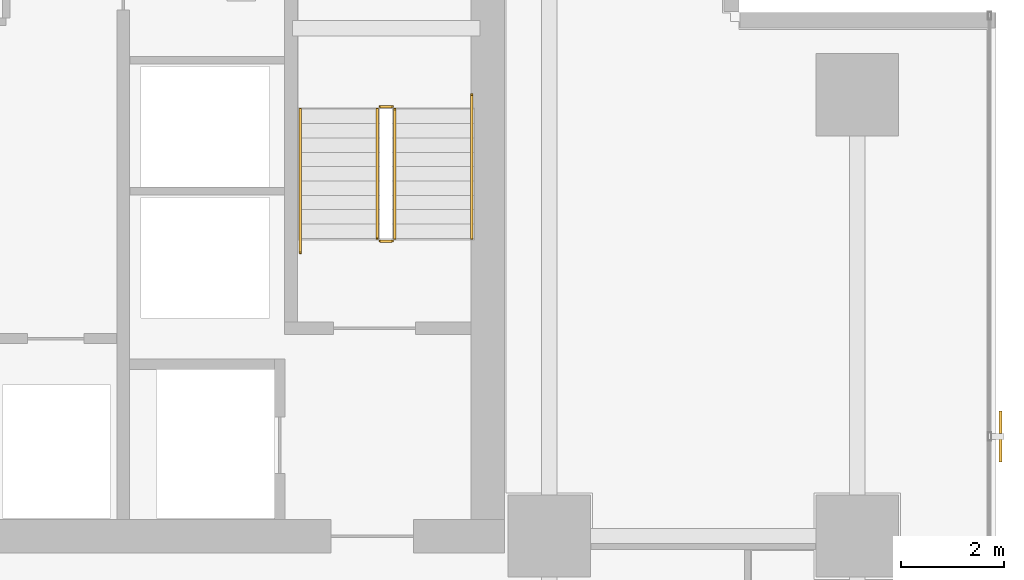
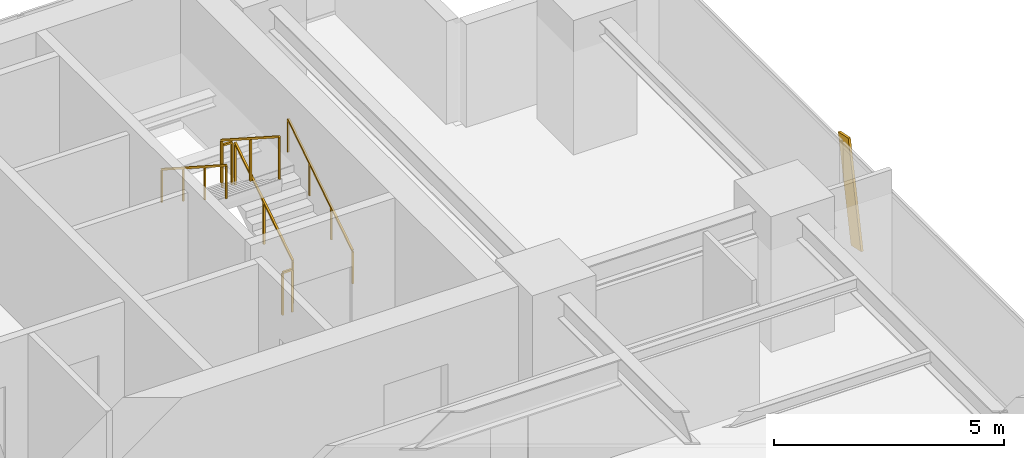
# One storey, part 36 of 37: 6 railings, 1 shading device.
"""IFC4 building model written with IfcOpenShell, lengths in metres."""

import ifcopenshell
import ifcopenshell.guid

model = None  # the IFC model being written
_history = None  # IfcOwnerHistory: only IFC2X3 demands one
_inside = {}  # id of a spatial element -> (the spatial element, [elements in it])
_under = {}  # id of a project, library or spatial element -> (it, [spatial elements below it])
_declared = {}  # id of a project -> (the project, [libraries it declares])
_typed = {}  # id of a type object -> (the type object, [elements of that type])
_made_of = {}  # id of a material, layer set ... -> (it, [elements and type objects made of it])


def new_model(schema):
    """Start an empty IFC model of exactly this schema.

    Asked for "IFC4X3", IfcOpenShell would pick the latest addendum, in which some entities
    have other attributes; the version numbers below select the first issue.
    IFC2X3 requires an IfcOwnerHistory on every rooted entity: one is made here for all.
    """
    global model, _history
    if schema == "IFC4X3":
        model = ifcopenshell.file(schema_version=(4, 3, 0, 0))
    else:
        model = ifcopenshell.file(schema=schema)
    _inside.clear()
    _under.clear()
    _declared.clear()
    _typed.clear()
    _made_of.clear()
    _history = None
    if model.schema == "IFC2X3":
        org = make("IfcOrganization", Name="unknown")
        user = make(
            "IfcPersonAndOrganization",
            ThePerson=make("IfcPerson", FamilyName="unknown"),
            TheOrganization=org,
        )
        app = make(
            "IfcApplication",
            ApplicationDeveloper=org,
            Version="unknown",
            ApplicationFullName="unknown",
            ApplicationIdentifier="unknown",
        )
        _history = make(
            "IfcOwnerHistory",
            OwningUser=user,
            OwningApplication=app,
            ChangeAction="ADDED",
            CreationDate=0,
        )
    return model


def make(cls, **values):
    """One entity of the class cls with the attributes given. An attribute that is None is left unset."""
    return model.create_entity(
        cls, **{name: value for name, value in values.items() if value is not None}
    )


def rooted(cls, **values):
    """An entity with a GlobalId (a new one), such as an element, a storey or a relation."""
    return make(cls, GlobalId=ifcopenshell.guid.new(), OwnerHistory=_history, **values)


def si_unit(unit_type, name, prefix=None):
    """IfcSIUnit, for example si_unit("LENGTHUNIT", "METRE", prefix="MILLI")."""
    return make("IfcSIUnit", UnitType=unit_type, Prefix=prefix, Name=name)


def assignment(units):
    """IfcUnitAssignment: the units of a project."""
    return None if units is None else make("IfcUnitAssignment", Units=units)


def point(xyz):
    """IfcCartesianPoint."""
    return None if xyz is None else make("IfcCartesianPoint", Coordinates=xyz)


def direction(xyz):
    """IfcDirection."""
    return None if xyz is None else make("IfcDirection", DirectionRatios=xyz)


def frame(location, z_axis=None, x_axis=None):
    """IfcAxis2Placement3D, a coordinate frame: its origin and axes. An axis left out is left unset."""
    return make(
        "IfcAxis2Placement3D",
        Location=point(location),
        Axis=direction(z_axis),
        RefDirection=direction(x_axis),
    )


def frame_2d(location, x_axis=None):
    """IfcAxis2Placement2D, a coordinate frame in the plane: its origin and x axis."""
    return make(
        "IfcAxis2Placement2D", Location=point(location), RefDirection=direction(x_axis)
    )


def origin():
    """The frame at (0, 0, 0) with its axes left unset."""
    return frame((0.0, 0.0, 0.0))


def origin_2d():
    """The frame at (0, 0) in the plane with its x axis left unset."""
    return frame_2d((0.0, 0.0))


def place(relative_to, where):
    """IfcLocalPlacement: puts the frame where relative to a parent placement (None: the world)."""
    return make(
        "IfcLocalPlacement", PlacementRelTo=relative_to, RelativePlacement=where
    )


def context(
    kind, dimensions, precision=None, world=None, true_north=None, identifier=None
):
    """IfcGeometricRepresentationContext, for example the 3D "Model" context."""
    return make(
        "IfcGeometricRepresentationContext",
        ContextIdentifier=identifier,
        ContextType=kind,
        CoordinateSpaceDimension=dimensions,
        Precision=precision,
        WorldCoordinateSystem=world,
        TrueNorth=true_north,
    )


def subcontext(parent, identifier, kind, view, scale=None):
    """IfcGeometricRepresentationSubContext, for example "Body" below "Model"."""
    return make(
        "IfcGeometricRepresentationSubContext",
        ContextIdentifier=identifier,
        ContextType=kind,
        ParentContext=parent,
        TargetScale=scale,
        TargetView=view,
    )


def project(units=None, contexts=None):
    """IfcProject with its units and contexts."""
    return rooted(
        "IfcProject",
        Name="project",
        RepresentationContexts=contexts,
        UnitsInContext=assignment(units),
    )


def spatial(cls, under=None, at=None, **own):
    """A site, building, storey or space (cls), placed at a placement, below another one or the project."""
    s = rooted(cls, ObjectPlacement=at, **own)
    if under is not None:
        _under.setdefault(under.id(), (under, []))[1].append(s)
    return s


def profile(cls, at=None, kind="AREA", **sizes):
    """A parametric profile (cls). Its sizes go by their IFC names, for example OverallWidth=200.0."""
    return make(cls, ProfileType=kind, Position=at, **sizes)


def rectangle(**sizes):
    """IfcRectangleProfileDef."""
    return profile("IfcRectangleProfileDef", **sizes)


def extrude(swept, where, along, depth):
    """IfcExtrudedAreaSolid: the profile swept, set in the frame where, extruded along a direction by depth."""
    return make(
        "IfcExtrudedAreaSolid",
        SweptArea=swept,
        Position=where,
        ExtrudedDirection=direction(along),
        Depth=depth,
    )


def shape(context_of_items, identifier, shape_type, items):
    """IfcShapeRepresentation: the items that make up one representation, for example the "Body"."""
    return make(
        "IfcShapeRepresentation",
        ContextOfItems=context_of_items,
        RepresentationIdentifier=identifier,
        RepresentationType=shape_type,
        Items=items,
    )


def source(mapping_origin, context_of_items, identifier, shape_type, items):
    """IfcRepresentationMap: a shape defined once, which mapped items show again and again."""
    return make(
        "IfcRepresentationMap",
        MappingOrigin=mapping_origin,
        MappedRepresentation=shape(context_of_items, identifier, shape_type, items),
    )


def transform(
    local_origin,
    x_axis=None,
    y_axis=None,
    z_axis=None,
    scale=None,
    scale2=None,
    scale3=None,
    uniform=True,
):
    """IfcCartesianTransformationOperator3D, or its non-uniform kind. x_axis, y_axis, z_axis: its Axis1, 2, 3."""
    if uniform:
        return make(
            "IfcCartesianTransformationOperator3D",
            Axis1=direction(x_axis),
            Axis2=direction(y_axis),
            LocalOrigin=point(local_origin),
            Scale=scale,
            Axis3=direction(z_axis),
        )
    return make(
        "IfcCartesianTransformationOperator3DnonUniform",
        Axis1=direction(x_axis),
        Axis2=direction(y_axis),
        LocalOrigin=point(local_origin),
        Scale=scale,
        Axis3=direction(z_axis),
        Scale2=scale2,
        Scale3=scale3,
    )


def mapped(mapping_source, mapping_target):
    """IfcMappedItem: shows the shape of a source again, moved by a transform."""
    return make(
        "IfcMappedItem", MappingSource=mapping_source, MappingTarget=mapping_target
    )


def material(Name=None, Category=None):
    """IfcMaterial."""
    return make("IfcMaterial", Name=Name, Category=Category)


def material_profile(
    of_material, cross_section, Name=None, Category=None, Priority=None
):
    """IfcMaterialProfile: a cross section and its material."""
    return make(
        "IfcMaterialProfile",
        Name=Name,
        Material=of_material,
        Profile=cross_section,
        Priority=Priority,
        Category=Category,
    )


def profile_set(profiles, Name=None, composite=None):
    """IfcMaterialProfileSet."""
    return make(
        "IfcMaterialProfileSet",
        Name=Name,
        MaterialProfiles=profiles,
        CompositeProfile=composite,
    )


def made_of(thing, what):
    """Note that an element or type object is made of a material, layer set ...; save() writes the relation."""
    if what is not None:
        _made_of.setdefault(what.id(), (what, []))[1].append(thing)
    return thing


def type_object(cls, material=None, **own):
    """A type object (cls), such as IfcWallType, which elements share."""
    return made_of(rooted(cls, **own), material)


def element(
    cls,
    number,
    at=None,
    inside=None,
    cuts=None,
    type_object=None,
    material=None,
    context=None,
    identifier="Body",
    shape_type=None,
    held_by="IfcProductDefinitionShape",
    body=None,
    shapes=None,
    **own,
):
    """One element of the class cls, such as IfcWall. Its Tag is "e" and its number.

    at: its placement. inside: the storey or other place that contains it. cuts: it is an
    opening in that element (IfcRelVoidsElement). A single representation is given by context,
    identifier, shape_type and body (its items); several are given by shapes. held_by: the class
    of the entity that holds the representations. save() writes the other relations.
    """
    e = rooted(cls, Tag="e%d" % number, ObjectPlacement=at, **own)
    if body is not None:
        shapes = [shape(context, identifier, shape_type, body)]
    if shapes is not None:
        e.Representation = make(held_by, Representations=shapes)
    if inside is not None:
        _inside.setdefault(inside.id(), (inside, []))[1].append(e)
    if cuts is not None:
        rooted(
            "IfcRelVoidsElement", RelatingBuildingElement=cuts, RelatedOpeningElement=e
        )
    if type_object is not None:
        _typed.setdefault(type_object.id(), (type_object, []))[1].append(e)
    return made_of(e, material)


def aggregate(whole, parts):
    """IfcRelAggregates: a whole, such as a stair, and the parts it consists of."""
    return rooted("IfcRelAggregates", RelatingObject=whole, RelatedObjects=parts)


def save(model, path):
    """Write the relations noted so far, then the file.

    IfcRelAggregates (storeys below a building ...), IfcRelContainedInSpatialStructure (elements
    in a storey), IfcRelDefinesByType, IfcRelAssociatesMaterial and IfcRelDeclares: one each for
    every whole, place, type object, material and project.
    """
    for whole, parts in _under.values():
        aggregate(whole, parts)
    for where, things in _inside.values():
        rooted(
            "IfcRelContainedInSpatialStructure",
            RelatedElements=things,
            RelatingStructure=where,
        )
    for kind, things in _typed.values():
        rooted("IfcRelDefinesByType", RelatedObjects=things, RelatingType=kind)
    for what, things in _made_of.values():
        rooted("IfcRelAssociatesMaterial", RelatedObjects=things, RelatingMaterial=what)
    for by, libraries in _declared.values():
        rooted("IfcRelDeclares", RelatingContext=by, RelatedDefinitions=libraries)
    model.write(path)


model = new_model("IFC4")

# Units and contexts
model_context = context("Model", 3, precision=1e-05, world=origin(), true_north=direction((0.0, 1.0)))
body_context = subcontext(model_context, "Body", "Model", "MODEL_VIEW")
ifc_project = project(units=[si_unit("LENGTHUNIT", "METRE"), si_unit("AREAUNIT", "SQUARE_METRE"), si_unit("VOLUMEUNIT", "CUBIC_METRE"), si_unit("PLANEANGLEUNIT", "RADIAN"), si_unit("MASSUNIT", "GRAM", prefix="KILO")], contexts=[model_context])

# Site, building, storey
site_placement = place(None, origin())
site = spatial("IfcSite", under=ifc_project, at=site_placement, CompositionType="ELEMENT")
building_placement = place(site_placement, origin())
building = spatial("IfcBuilding", under=site, at=building_placement, Name="Sumidabori Civic Tower", CompositionType="ELEMENT")
storey_placement = place(building_placement, frame((0.0, 0.0, 81.199951171875)))
storey = spatial("IfcBuildingStorey", under=building, at=storey_placement, Name="L20", CompositionType="ELEMENT", Elevation=81.199951171875)

# Railings
ifc_material_1 = material(Name="Stainless Steel Hairline Finish", Category="steel")
railing_type_1 = type_object("IfcRailingType", Name="RL-HANDRAIL", PredefinedType="HANDRAIL", material=ifc_material_1)
railing_1_placement = place(storey_placement, frame((15.2900390625, 16.0, 0.179931640625)))
element("IfcRailing", 1, at=railing_1_placement, inside=storey, type_object=railing_type_1, Name="L20 ST-2 stair handrail 1", PredefinedType="HANDRAIL", context=body_context, shape_type="SweptSolid", body=[
    extrude(rectangle(XDim=0.048095703125, YDim=0.048095703125, at=origin_2d()), frame((0.0, 0.0, 0.8759765625), z_axis=(0.0, 0.84064222762, 0.54159084662), x_axis=(-1.0, 0.0, 0.0)), (0.0, 0.0, 1.0), 3.330810546875),
    extrude(rectangle(XDim=0.0419921875, YDim=0.0419921875, at=origin_2d()), origin(), (0.0, 0.0, 1.0), 0.851806640625),
    extrude(rectangle(XDim=0.0419921875, YDim=0.0419921875, at=origin_2d()), frame((0.0, 0.933349609375, 0.601318359375)), (0.0, 0.0, 1.0), 0.851806640625),
    extrude(rectangle(XDim=0.0419921875, YDim=0.0419921875, at=origin_2d()), frame((0.0, 1.86669921875, 1.20263671875)), (0.0, 0.0, 1.0), 0.851806640625),
    extrude(rectangle(XDim=0.0419921875, YDim=0.0419921875, at=origin_2d()), frame((0.0, 2.800048828125, 1.803955078125)), (0.0, 0.0, 1.0), 0.851806640625),
])
railing_2_placement = place(storey_placement, frame((11.949951171875, 18.52001953125, 1.97998046875)))
element("IfcRailing", 2, at=railing_2_placement, inside=storey, type_object=railing_type_1, Name="L20 ST-2 stair handrail 2", PredefinedType="HANDRAIL", context=body_context, shape_type="SweptSolid", body=[
    extrude(rectangle(XDim=0.048095703125, YDim=0.048095703125, at=origin_2d()), frame((0.0, 0.0, 0.8759765625), z_axis=(0.0, -0.84064222762, 0.54159084662), x_axis=(1.0, 0.0, 0.0)), (0.0, 0.0, 1.0), 3.330810546875),
    extrude(rectangle(XDim=0.0419921875, YDim=0.0419921875, at=origin_2d()), origin(), (0.0, 0.0, 1.0), 0.851806640625),
    extrude(rectangle(XDim=0.0419921875, YDim=0.0419921875, at=origin_2d()), frame((0.0, -0.933349609375, 0.601318359375)), (0.0, 0.0, 1.0), 0.851806640625),
    extrude(rectangle(XDim=0.0419921875, YDim=0.0419921875, at=origin_2d()), frame((0.0, -1.86669921875, 1.20263671875)), (0.0, 0.0, 1.0), 0.851806640625),
    extrude(rectangle(XDim=0.0419921875, YDim=0.0419921875, at=origin_2d()), frame((0.0, -2.800048828125, 1.803955078125)), (0.0, 0.0, 1.0), 0.851806640625),
])
ifc_material_2 = material(Name="Steel SN490", Category="steel")
railing_type_2 = type_object("IfcRailingType", Name="RL-STAIR-GUARD", PredefinedType="GUARDRAIL", material=ifc_material_2)
railing_3_placement = place(storey_placement, frame((13.7900390625, 16.0, 0.179931640625)))
element("IfcRailing", 3, at=railing_3_placement, inside=storey, type_object=railing_type_2, Name="L20 ST-2 stair guard 1", PredefinedType="GUARDRAIL", context=body_context, shape_type="SweptSolid", body=[
    extrude(rectangle(XDim=0.048095703125, YDim=0.048095703125, at=origin_2d()), frame((0.0, 0.0, 1.1259765625), z_axis=(0.0, 0.841162588446, 0.540782303519), x_axis=(-1.0, 0.0, 0.0)), (0.0, 0.0, 1.0), 2.995849609375),
    extrude(rectangle(XDim=0.0419921875, YDim=0.0419921875, at=origin_2d()), origin(), (0.0, 0.0, 1.0), 1.101806640625),
    extrude(rectangle(XDim=0.0419921875, YDim=0.0419921875, at=origin_2d()), frame((0.0, 1.260009765625, 0.81005859375)), (0.0, 0.0, 1.0), 1.101806640625),
    extrude(rectangle(XDim=0.0419921875, YDim=0.0419921875, at=origin_2d()), frame((0.0, 2.52001953125, 1.6201171875)), (0.0, 0.0, 1.0), 1.101806640625),
])
railing_4_placement = place(storey_placement, frame((13.739990234375, 18.570068359375, 1.800048828125)))
element("IfcRailing", 4, at=railing_4_placement, inside=storey, type_object=railing_type_2, Name="L20 ST-2 stair guard 2", PredefinedType="GUARDRAIL", context=body_context, shape_type="SweptSolid", body=[
    extrude(rectangle(XDim=0.048095703125, YDim=0.048095703125, at=origin_2d()), frame((0.0, 0.0, 1.1259765625), z_axis=(-1.0, 0.0, 0.0), x_axis=(0.0, -1.0, 0.0)), (0.0, 0.0, 1.0), 0.239990234375),
    extrude(rectangle(XDim=0.0419921875, YDim=0.0419921875, at=origin_2d()), origin(), (0.0, 0.0, 1.0), 1.101806640625),
    extrude(rectangle(XDim=0.0419921875, YDim=0.0419921875, at=origin_2d()), frame((-0.239990234375, 0.0, 0.0)), (0.0, 0.0, 1.0), 1.101806640625),
])
railing_5_placement = place(storey_placement, frame((13.449951171875, 18.52001953125, 1.97998046875)))
element("IfcRailing", 5, at=railing_5_placement, inside=storey, type_object=railing_type_2, Name="L20 ST-2 stair guard 3", PredefinedType="GUARDRAIL", context=body_context, shape_type="SweptSolid", body=[
    extrude(rectangle(XDim=0.048095703125, YDim=0.048095703125, at=origin_2d()), frame((0.0, 0.0, 1.1259765625), z_axis=(0.0, -0.841162588446, 0.540782303519), x_axis=(1.0, 0.0, 0.0)), (0.0, 0.0, 1.0), 2.995849609375),
    extrude(rectangle(XDim=0.0419921875, YDim=0.0419921875, at=origin_2d()), origin(), (0.0, 0.0, 1.0), 1.101806640625),
    extrude(rectangle(XDim=0.0419921875, YDim=0.0419921875, at=origin_2d()), frame((0.0, -1.260009765625, 0.81005859375)), (0.0, 0.0, 1.0), 1.101806640625),
    extrude(rectangle(XDim=0.0419921875, YDim=0.0419921875, at=origin_2d()), frame((0.0, -2.52001953125, 1.6201171875)), (0.0, 0.0, 1.0), 1.101806640625),
])
railing_6_placement = place(storey_placement, frame((13.739990234375, 15.949951171875, 0.0)))
element("IfcRailing", 6, at=railing_6_placement, inside=storey, type_object=railing_type_2, Name="L20 ST-2 stair guard 4", PredefinedType="GUARDRAIL", context=body_context, shape_type="SweptSolid", body=[
    extrude(rectangle(XDim=0.048095703125, YDim=0.048095703125, at=origin_2d()), frame((0.0, 0.0, 1.1259765625), z_axis=(-1.0, 0.0, 0.0), x_axis=(0.0, -1.0, 0.0)), (0.0, 0.0, 1.0), 0.239990234375),
    extrude(rectangle(XDim=0.0419921875, YDim=0.0419921875, at=origin_2d()), origin(), (0.0, 0.0, 1.0), 1.101806640625),
    extrude(rectangle(XDim=0.0419921875, YDim=0.0419921875, at=origin_2d()), frame((-0.239990234375, 0.0, 0.0)), (0.0, 0.0, 1.0), 1.101806640625),
])

# Shading device
ifc_material_3 = material(Name="Anodised Bronze Aluminium AW-6063-T6", Category="aluminium")
ifc_material_profile = material_profile(ifc_material_3, rectangle(XDim=0.06005859375, YDim=0.449951171875, at=origin_2d()), Name="BRONZE FIN 450x60")
ifc_profile_set = profile_set([ifc_material_profile], Name="Anodised Bronze Aluminium AW-6063-T6")
shading_device_type = type_object("IfcShadingDeviceType", Name="SH-FIN-450", PredefinedType="USERDEFINED", material=ifc_profile_set)
shared_shape = source(origin(), body_context, "Body", "SweptSolid", [
    extrude(rectangle(XDim=0.06005859375, YDim=0.449951171875, at=origin_2d()), origin(), (0.0, 0.0, 1.0), 2.73779296875),
])
shading_device_placement = place(storey_placement, frame((25.590087890625, 11.862060546875, 0.02001953125), z_axis=(0.0, 0.204563143937, 0.978853370093), x_axis=(-1.0, 0.0, 0.0)))
element("IfcShadingDevice", 7, at=shading_device_placement, inside=storey, type_object=shading_device_type, Name="Bronze Anodised Diagonal Fin L20-04", ObjectType="FIN", PredefinedType="USERDEFINED", context=body_context, shape_type="MappedRepresentation", body=[
    mapped(shared_shape, transform((0.0, 0.0, 0.0), x_axis=(1.0, 0.0, 0.0), y_axis=(0.0, 1.0, 0.0), z_axis=(0.0, 0.0, 1.0), scale=1.0)),
])

save(model, "model.ifc")
